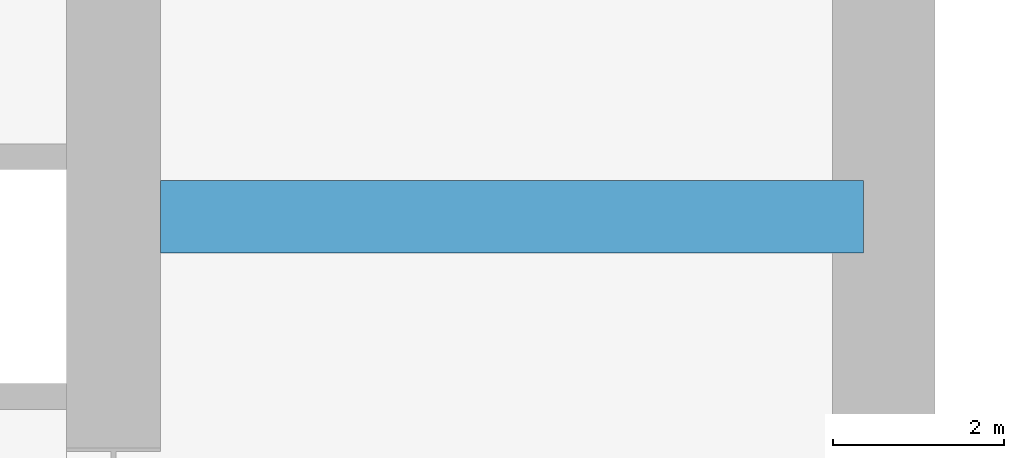
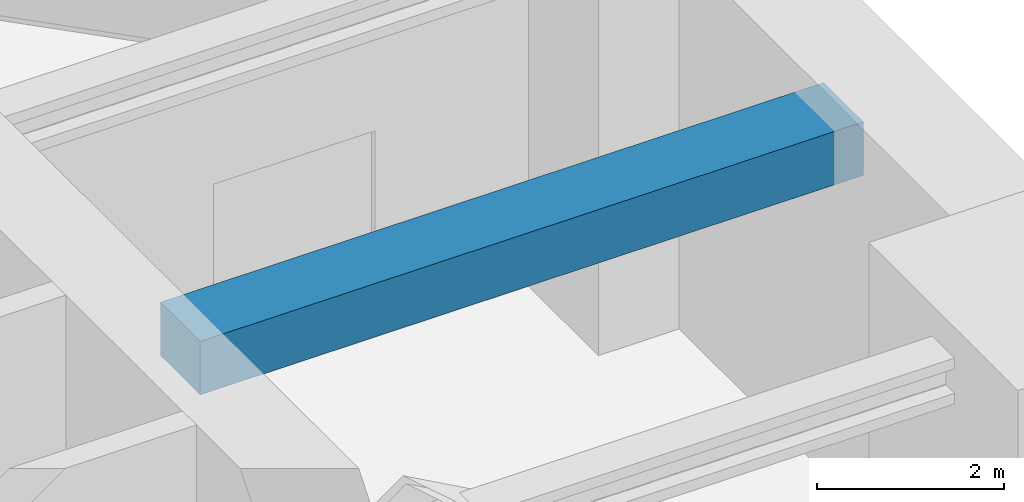
# One storey, part 15 of 32: 1 beam.
"""IFC4 building model written with IfcOpenShell, lengths in metres."""

from ifc_helpers import new_model, si_unit, direction, frame, origin, origin_2d, place, context, subcontext, project, spatial, rectangle, extrude, material, material_profile, profile_set, type_object, element, save


model = new_model("IFC4")

# Units and contexts
model_context = context("Model", 3, precision=1e-05, world=origin(), true_north=direction((0.0, 1.0)))
body_context = subcontext(model_context, "Body", "Model", "MODEL_VIEW")
ifc_project = project(units=[si_unit("LENGTHUNIT", "METRE"), si_unit("AREAUNIT", "SQUARE_METRE"), si_unit("VOLUMEUNIT", "CUBIC_METRE"), si_unit("PLANEANGLEUNIT", "RADIAN"), si_unit("MASSUNIT", "GRAM", prefix="KILO")], contexts=[model_context])

# Site, building, storey
site_placement = place(None, origin())
site = spatial("IfcSite", under=ifc_project, at=site_placement, CompositionType="ELEMENT")
building_placement = place(site_placement, origin())
building = spatial("IfcBuilding", under=site, at=building_placement, Name="Zorevar Civic Tower", CompositionType="ELEMENT")
storey_placement = place(building_placement, frame((0.0, 0.0, 234.39990234375)))
storey = spatial("IfcBuildingStorey", under=building, at=storey_placement, Name="L57", CompositionType="ELEMENT", Elevation=234.39990234375)

# Beam
ifc_material = material(Name="Concrete C50/60", Category="concrete")
ifc_material_profile = material_profile(ifc_material, rectangle(XDim=0.85009765625, YDim=0.699951171875, at=origin_2d()), Name="RC 850x700")
ifc_profile_set = profile_set([ifc_material_profile], Name="Concrete C50/60")
beam_type = type_object("IfcBeamType", Name="Beam RC 850x700", PredefinedType="BEAM", material=ifc_profile_set)
beam_placement = place(storey_placement, frame((45.550048828125, 31.5, 4.25), z_axis=(1.0, 0.0, 0.0), x_axis=(0.0, 1.0, 0.0)))
element("IfcBeam", 1, at=beam_placement, inside=storey, type_object=beam_type, Name="Secondary beam L58", PredefinedType="BEAM", context=body_context, shape_type="SweptSolid", body=[
    extrude(rectangle(XDim=0.85009765625, YDim=0.699951171875, at=origin_2d()), origin(), (0.0, 0.0, 1.0), 8.2119140625),
])

save(model, "model.ifc")
